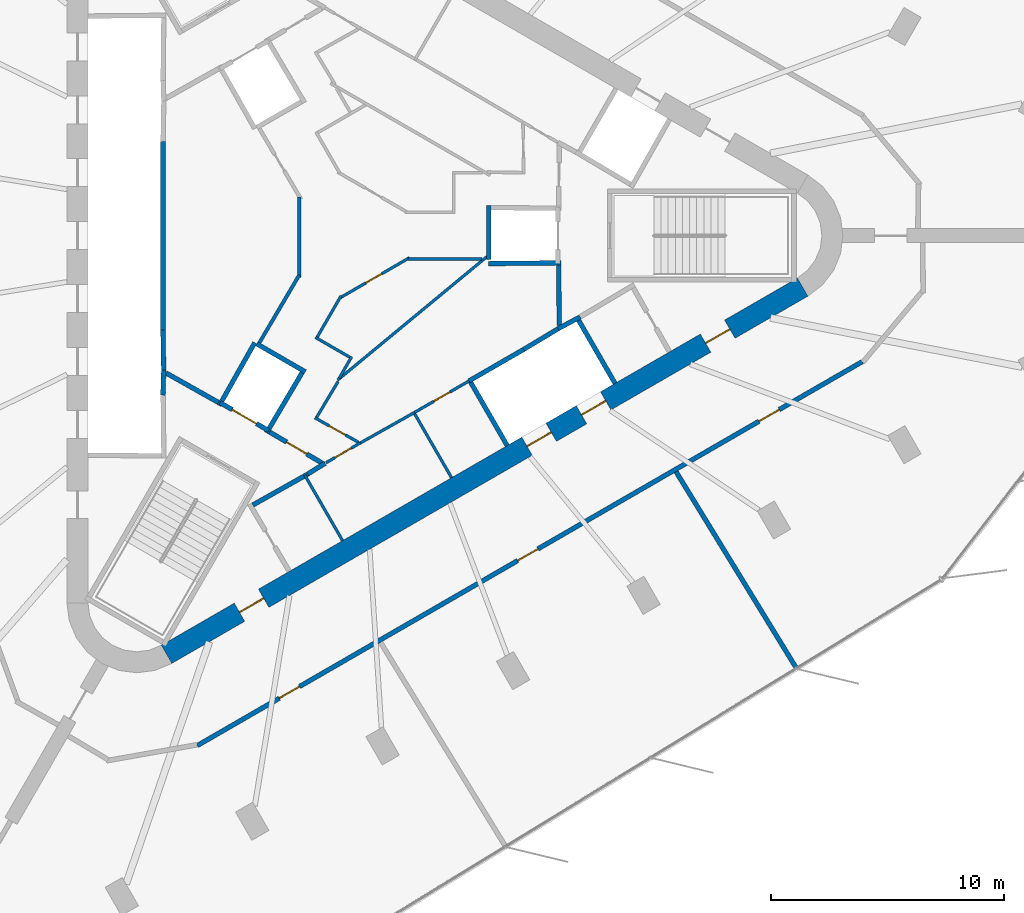
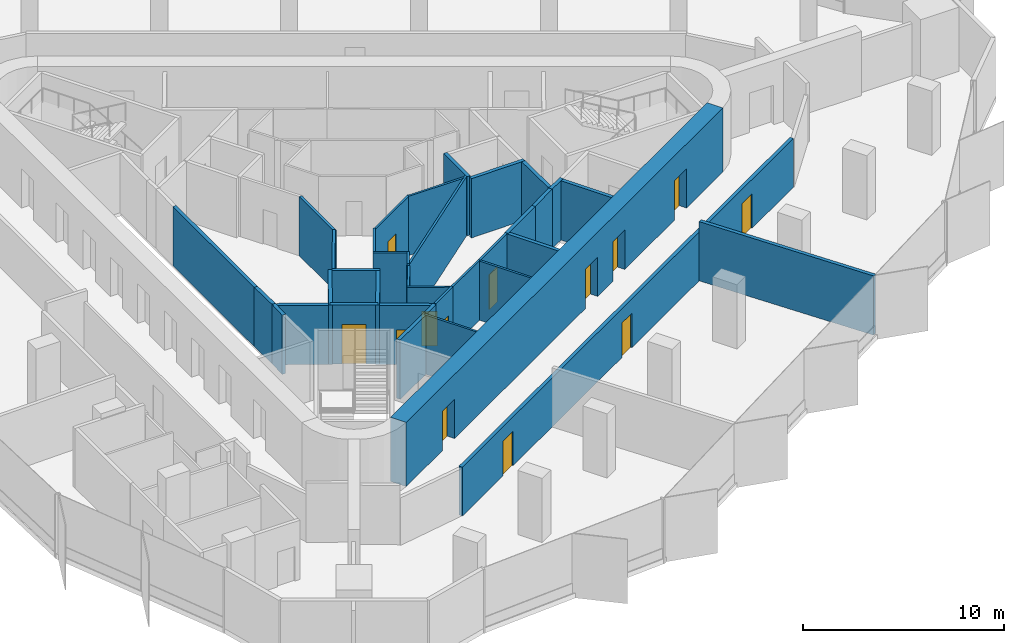
# One storey, part 8 of 12: 37 walls, 13 doors, 13 openings.
"""IFC4 building model written with IfcOpenShell, lengths in metres."""

import ifcopenshell
import ifcopenshell.guid

model = None  # the IFC model being written
_history = None  # IfcOwnerHistory: only IFC2X3 demands one
_inside = {}  # id of a spatial element -> (the spatial element, [elements in it])
_under = {}  # id of a project, library or spatial element -> (it, [spatial elements below it])
_declared = {}  # id of a project -> (the project, [libraries it declares])
_typed = {}  # id of a type object -> (the type object, [elements of that type])
_made_of = {}  # id of a material, layer set ... -> (it, [elements and type objects made of it])


def new_model(schema):
    """Start an empty IFC model of exactly this schema.

    Asked for "IFC4X3", IfcOpenShell would pick the latest addendum, in which some entities
    have other attributes; the version numbers below select the first issue.
    IFC2X3 requires an IfcOwnerHistory on every rooted entity: one is made here for all.
    """
    global model, _history
    if schema == "IFC4X3":
        model = ifcopenshell.file(schema_version=(4, 3, 0, 0))
    else:
        model = ifcopenshell.file(schema=schema)
    _inside.clear()
    _under.clear()
    _declared.clear()
    _typed.clear()
    _made_of.clear()
    _history = None
    if model.schema == "IFC2X3":
        org = make("IfcOrganization", Name="unknown")
        user = make(
            "IfcPersonAndOrganization",
            ThePerson=make("IfcPerson", FamilyName="unknown"),
            TheOrganization=org,
        )
        app = make(
            "IfcApplication",
            ApplicationDeveloper=org,
            Version="unknown",
            ApplicationFullName="unknown",
            ApplicationIdentifier="unknown",
        )
        _history = make(
            "IfcOwnerHistory",
            OwningUser=user,
            OwningApplication=app,
            ChangeAction="ADDED",
            CreationDate=0,
        )
    return model


def make(cls, **values):
    """One entity of the class cls with the attributes given. An attribute that is None is left unset."""
    return model.create_entity(
        cls, **{name: value for name, value in values.items() if value is not None}
    )


def rooted(cls, **values):
    """An entity with a GlobalId (a new one), such as an element, a storey or a relation."""
    return make(cls, GlobalId=ifcopenshell.guid.new(), OwnerHistory=_history, **values)


def si_unit(unit_type, name, prefix=None):
    """IfcSIUnit, for example si_unit("LENGTHUNIT", "METRE", prefix="MILLI")."""
    return make("IfcSIUnit", UnitType=unit_type, Prefix=prefix, Name=name)


def assignment(units):
    """IfcUnitAssignment: the units of a project."""
    return None if units is None else make("IfcUnitAssignment", Units=units)


def point(xyz):
    """IfcCartesianPoint."""
    return None if xyz is None else make("IfcCartesianPoint", Coordinates=xyz)


def direction(xyz):
    """IfcDirection."""
    return None if xyz is None else make("IfcDirection", DirectionRatios=xyz)


def frame(location, z_axis=None, x_axis=None):
    """IfcAxis2Placement3D, a coordinate frame: its origin and axes. An axis left out is left unset."""
    return make(
        "IfcAxis2Placement3D",
        Location=point(location),
        Axis=direction(z_axis),
        RefDirection=direction(x_axis),
    )


def frame_2d(location, x_axis=None):
    """IfcAxis2Placement2D, a coordinate frame in the plane: its origin and x axis."""
    return make(
        "IfcAxis2Placement2D", Location=point(location), RefDirection=direction(x_axis)
    )


def origin():
    """The frame at (0, 0, 0) with its axes left unset."""
    return frame((0.0, 0.0, 0.0))


def place(relative_to, where):
    """IfcLocalPlacement: puts the frame where relative to a parent placement (None: the world)."""
    return make(
        "IfcLocalPlacement", PlacementRelTo=relative_to, RelativePlacement=where
    )


def context(
    kind, dimensions, precision=None, world=None, true_north=None, identifier=None
):
    """IfcGeometricRepresentationContext, for example the 3D "Model" context."""
    return make(
        "IfcGeometricRepresentationContext",
        ContextIdentifier=identifier,
        ContextType=kind,
        CoordinateSpaceDimension=dimensions,
        Precision=precision,
        WorldCoordinateSystem=world,
        TrueNorth=true_north,
    )


def subcontext(parent, identifier, kind, view, scale=None):
    """IfcGeometricRepresentationSubContext, for example "Body" below "Model"."""
    return make(
        "IfcGeometricRepresentationSubContext",
        ContextIdentifier=identifier,
        ContextType=kind,
        ParentContext=parent,
        TargetScale=scale,
        TargetView=view,
    )


def project(units=None, contexts=None):
    """IfcProject with its units and contexts."""
    return rooted(
        "IfcProject",
        Name="project",
        RepresentationContexts=contexts,
        UnitsInContext=assignment(units),
    )


def spatial(cls, under=None, at=None, **own):
    """A site, building, storey or space (cls), placed at a placement, below another one or the project."""
    s = rooted(cls, ObjectPlacement=at, **own)
    if under is not None:
        _under.setdefault(under.id(), (under, []))[1].append(s)
    return s


def profile(cls, at=None, kind="AREA", **sizes):
    """A parametric profile (cls). Its sizes go by their IFC names, for example OverallWidth=200.0."""
    return make(cls, ProfileType=kind, Position=at, **sizes)


def rectangle(**sizes):
    """IfcRectangleProfileDef."""
    return profile("IfcRectangleProfileDef", **sizes)


def extrude(swept, where, along, depth):
    """IfcExtrudedAreaSolid: the profile swept, set in the frame where, extruded along a direction by depth."""
    return make(
        "IfcExtrudedAreaSolid",
        SweptArea=swept,
        Position=where,
        ExtrudedDirection=direction(along),
        Depth=depth,
    )


def shape(context_of_items, identifier, shape_type, items):
    """IfcShapeRepresentation: the items that make up one representation, for example the "Body"."""
    return make(
        "IfcShapeRepresentation",
        ContextOfItems=context_of_items,
        RepresentationIdentifier=identifier,
        RepresentationType=shape_type,
        Items=items,
    )


def material(Name=None, Category=None):
    """IfcMaterial."""
    return make("IfcMaterial", Name=Name, Category=Category)


def layer(
    of_material, thickness, ventilated=None, Name=None, Category=None, Priority=None
):
    """IfcMaterialLayer: one layer of a wall or slab, of a material (None: an air gap)."""
    return make(
        "IfcMaterialLayer",
        Material=of_material,
        LayerThickness=thickness,
        IsVentilated=ventilated,
        Name=Name,
        Category=Category,
        Priority=Priority,
    )


def layer_set(layers, Name=None):
    """IfcMaterialLayerSet."""
    return make("IfcMaterialLayerSet", MaterialLayers=layers, LayerSetName=Name)


def made_of(thing, what):
    """Note that an element or type object is made of a material, layer set ...; save() writes the relation."""
    if what is not None:
        _made_of.setdefault(what.id(), (what, []))[1].append(thing)
    return thing


def type_object(cls, material=None, **own):
    """A type object (cls), such as IfcWallType, which elements share."""
    return made_of(rooted(cls, **own), material)


def element(
    cls,
    number,
    at=None,
    inside=None,
    cuts=None,
    type_object=None,
    material=None,
    context=None,
    identifier="Body",
    shape_type=None,
    held_by="IfcProductDefinitionShape",
    body=None,
    shapes=None,
    **own,
):
    """One element of the class cls, such as IfcWall. Its Tag is "e" and its number.

    at: its placement. inside: the storey or other place that contains it. cuts: it is an
    opening in that element (IfcRelVoidsElement). A single representation is given by context,
    identifier, shape_type and body (its items); several are given by shapes. held_by: the class
    of the entity that holds the representations. save() writes the other relations.
    """
    e = rooted(cls, Tag="e%d" % number, ObjectPlacement=at, **own)
    if body is not None:
        shapes = [shape(context, identifier, shape_type, body)]
    if shapes is not None:
        e.Representation = make(held_by, Representations=shapes)
    if inside is not None:
        _inside.setdefault(inside.id(), (inside, []))[1].append(e)
    if cuts is not None:
        rooted(
            "IfcRelVoidsElement", RelatingBuildingElement=cuts, RelatedOpeningElement=e
        )
    if type_object is not None:
        _typed.setdefault(type_object.id(), (type_object, []))[1].append(e)
    return made_of(e, material)


def fill(opening, filler):
    """IfcRelFillsElement: the door or window that sits in an opening."""
    return rooted(
        "IfcRelFillsElement",
        RelatingOpeningElement=opening,
        RelatedBuildingElement=filler,
    )


def aggregate(whole, parts):
    """IfcRelAggregates: a whole, such as a stair, and the parts it consists of."""
    return rooted("IfcRelAggregates", RelatingObject=whole, RelatedObjects=parts)


def save(model, path):
    """Write the relations noted so far, then the file.

    IfcRelAggregates (storeys below a building ...), IfcRelContainedInSpatialStructure (elements
    in a storey), IfcRelDefinesByType, IfcRelAssociatesMaterial and IfcRelDeclares: one each for
    every whole, place, type object, material and project.
    """
    for whole, parts in _under.values():
        aggregate(whole, parts)
    for where, things in _inside.values():
        rooted(
            "IfcRelContainedInSpatialStructure",
            RelatedElements=things,
            RelatingStructure=where,
        )
    for kind, things in _typed.values():
        rooted("IfcRelDefinesByType", RelatedObjects=things, RelatingType=kind)
    for what, things in _made_of.values():
        rooted("IfcRelAssociatesMaterial", RelatedObjects=things, RelatingMaterial=what)
    for by, libraries in _declared.values():
        rooted("IfcRelDeclares", RelatingContext=by, RelatedDefinitions=libraries)
    model.write(path)


model = new_model("IFC4")

# Units and contexts
model_context = context("Model", 3, precision=1e-05, world=origin(), true_north=direction((0.0, 1.0)))
body_context = subcontext(model_context, "Body", "Model", "MODEL_VIEW")
ifc_project = project(units=[si_unit("LENGTHUNIT", "METRE"), si_unit("AREAUNIT", "SQUARE_METRE"), si_unit("VOLUMEUNIT", "CUBIC_METRE"), si_unit("PLANEANGLEUNIT", "RADIAN"), si_unit("MASSUNIT", "GRAM", prefix="KILO")], contexts=[model_context])

# Site, building, storey
site_placement = place(None, origin())
site = spatial("IfcSite", under=ifc_project, at=site_placement, CompositionType="ELEMENT")
building_placement = place(site_placement, origin())
building = spatial("IfcBuilding", under=site, at=building_placement, Name="Tanit Gate Tower", CompositionType="ELEMENT")
storey_placement = place(building_placement, frame((0.0, 0.0, 349.39990234375)))
storey = spatial("IfcBuildingStorey", under=building, at=storey_placement, Name="L79", CompositionType="ELEMENT", Elevation=349.39990234375)

# Wall, openings, doors
ifc_material_1 = material(Name="Concrete C40/50", Category="concrete")
ifc_layer_1 = layer(ifc_material_1, 0.89990234375)
ifc_layer_set_1 = layer_set([ifc_layer_1], Name="CORE WALL 900 C40/50")
wall_type_1 = type_object("IfcWallType", Name="CORE WALL 900 C40/50", PredefinedType="SHEAR", material=ifc_layer_set_1)
wall_1_placement = place(storey_placement, frame((-7.824951171875, -17.969970703125, 0.0), z_axis=(0.0, 0.0, 1.0), x_axis=(0.866028369851, 0.499994862586, 0.0)))
wall_1 = element("IfcWall", 1, at=wall_1_placement, inside=storey, type_object=wall_type_1, Name="CORE WALL", PredefinedType="SHEAR", context=body_context, shape_type="SweptSolid", body=[
    extrude(rectangle(XDim=31.523193359375, YDim=0.89990234375, at=frame_2d((15.76171875, 0.0))), origin(), (0.0, 0.0, 1.0), 3.900146484375),
])
opening_1_placement = place(wall_1_placement, frame((17.861572265625, 0.0, 0.0)))
opening_1 = element("IfcOpeningElement", 2, at=opening_1_placement, cuts=wall_1, Name="Opening LDSV1-S22", PredefinedType="OPENING", context=body_context, shape_type="SweptSolid", body=[
    extrude(rectangle(XDim=1.199951171875, YDim=2.39990234375, at=frame_2d((0.60009765625, 1.199951171875))), frame((0.0, 0.4599609375, 0.0), z_axis=(0.0, -1.0, 0.0), x_axis=(1.0, 0.0, 0.0)), (0.0, 0.0, 1.0), 0.919921875),
])
opening_2_placement = place(wall_1_placement, frame((20.561767578125, 0.0, 0.0)))
opening_2 = element("IfcOpeningElement", 3, at=opening_2_placement, cuts=wall_1, Name="Opening LDSV2-S22", PredefinedType="OPENING", context=body_context, shape_type="SweptSolid", body=[
    extrude(rectangle(XDim=1.199951171875, YDim=2.39990234375, at=frame_2d((0.60009765625, 1.199951171875))), frame((0.0, 0.4599609375, 0.0), z_axis=(0.0, -1.0, 0.0), x_axis=(1.0, 0.0, 0.0)), (0.0, 0.0, 1.0), 0.919921875),
])
opening_3_placement = place(wall_1_placement, frame((26.711669921875, 0.0, 0.0)))
opening_3 = element("IfcOpeningElement", 4, at=opening_3_placement, cuts=wall_1, Name="Opening F12-S22-S1", PredefinedType="OPENING", context=body_context, shape_type="SweptSolid", body=[
    extrude(rectangle(XDim=1.199951171875, YDim=2.39990234375, at=frame_2d((0.60009765625, 1.199951171875))), frame((0.0, 0.4599609375, 0.0), z_axis=(0.0, -1.0, 0.0), x_axis=(1.0, 0.0, 0.0)), (0.0, 0.0, 1.0), 0.919921875),
])
opening_4_placement = place(wall_1_placement, frame((3.611572265625, 0.0, 0.0)))
opening_4 = element("IfcOpeningElement", 5, at=opening_4_placement, cuts=wall_1, Name="Opening F12-S22-FL3", PredefinedType="OPENING", context=body_context, shape_type="SweptSolid", body=[
    extrude(rectangle(XDim=1.199951171875, YDim=2.39990234375, at=frame_2d((0.60009765625, 1.199951171875))), frame((0.0, 0.4599609375, 0.0), z_axis=(0.0, -1.0, 0.0), x_axis=(1.0, 0.0, 0.0)), (0.0, 0.0, 1.0), 0.919921875),
])
ifc_material_2 = material(Name="Fire-rated steel door leaf", Category="steel")
door_type_1 = type_object("IfcDoorType", Name="INT-DOOR-FIRE-LOBBY-1200", OperationType="NOTDEFINED", PredefinedType="USERDEFINED", material=ifc_material_2)
door_1_placement = place(opening_3_placement, origin())
door_1 = element("IfcDoor", 6, at=door_1_placement, inside=storey, type_object=door_type_1, Name="Door F12-S22-S1", ObjectType="FIRE DOOR", OperationType="SINGLE_SWING_RIGHT", OverallHeight=2.39990234375, OverallWidth=1.199951171875, PredefinedType="USERDEFINED", context=body_context, shape_type="SweptSolid", body=[
    extrude(rectangle(XDim=1.199951171875, YDim=2.39990234375, at=frame_2d((0.60009765625, 1.199951171875))), frame((0.0, 0.02490234375, 0.0), z_axis=(0.0, -1.0, 0.0), x_axis=(1.0, 0.0, 0.0)), (0.0, 0.0, 1.0), 0.050048828125),
])
fill(opening_3, door_1)
door_2_placement = place(opening_4_placement, origin())
door_2 = element("IfcDoor", 7, at=door_2_placement, inside=storey, type_object=door_type_1, Name="Door F12-S22-FL3", ObjectType="FIRE DOOR", OperationType="SINGLE_SWING_LEFT", OverallHeight=2.39990234375, OverallWidth=1.199951171875, PredefinedType="USERDEFINED", context=body_context, shape_type="SweptSolid", body=[
    extrude(rectangle(XDim=1.199951171875, YDim=2.39990234375, at=frame_2d((0.60009765625, 1.199951171875))), frame((0.0, 0.02490234375, 0.0), z_axis=(0.0, -1.0, 0.0), x_axis=(1.0, 0.0, 0.0)), (0.0, 0.0, 1.0), 0.050048828125),
])
fill(opening_4, door_2)
ifc_material_3 = material(Name="Stainless steel sliding door leaf", Category="steel")
door_type_2 = type_object("IfcDoorType", Name="INT-DOOR-LANDING-1200", OperationType="NOTDEFINED", PredefinedType="USERDEFINED", material=ifc_material_3)
door_3_placement = place(opening_1_placement, origin())
door_3 = element("IfcDoor", 8, at=door_3_placement, inside=storey, type_object=door_type_2, Name="Door LDSV1-S22", ObjectType="LANDING DOOR", OperationType="SLIDING_TO_LEFT", OverallHeight=2.39990234375, OverallWidth=1.199951171875, PredefinedType="USERDEFINED", context=body_context, shape_type="SweptSolid", body=[
    extrude(rectangle(XDim=1.199951171875, YDim=2.39990234375, at=frame_2d((0.60009765625, 1.199951171875))), frame((0.0, 0.02490234375, 0.0), z_axis=(0.0, -1.0, 0.0), x_axis=(1.0, 0.0, 0.0)), (0.0, 0.0, 1.0), 0.050048828125),
])
fill(opening_1, door_3)
door_4_placement = place(opening_2_placement, origin())
door_4 = element("IfcDoor", 9, at=door_4_placement, inside=storey, type_object=door_type_2, Name="Door LDSV2-S22", ObjectType="LANDING DOOR", OperationType="SLIDING_TO_LEFT", OverallHeight=2.39990234375, OverallWidth=1.199951171875, PredefinedType="USERDEFINED", context=body_context, shape_type="SweptSolid", body=[
    extrude(rectangle(XDim=1.199951171875, YDim=2.39990234375, at=frame_2d((0.60009765625, 1.199951171875))), frame((0.0, 0.02490234375, 0.0), z_axis=(0.0, -1.0, 0.0), x_axis=(1.0, 0.0, 0.0)), (0.0, 0.0, 1.0), 0.050048828125),
])
fill(opening_2, door_4)

# Walls
ifc_material_4 = material(Name="Fire-rated gypsum board partition")
ifc_layer_2 = layer(ifc_material_4, 0.199951171875)
ifc_layer_set_2 = layer_set([ifc_layer_2], Name="INT-WALL-COMPARTMENT")
wall_type_2 = type_object("IfcWallType", Name="INT-WALL-COMPARTMENT", PredefinedType="PARTITIONING", material=ifc_layer_set_2)
wall_2_placement = place(storey_placement, frame((-1.7685546875, -10.23681640625, 0.0), z_axis=(0.0, 0.0, 1.0), x_axis=(-0.871534483978, -0.490334215854, 0.0)))
element("IfcWall", 10, at=wall_2_placement, inside=storey, type_object=wall_type_2, Name="Wall Compartment W054", PredefinedType="PARTITIONING", context=body_context, shape_type="SweptSolid", body=[
    extrude(rectangle(XDim=2.7001953125, YDim=0.199951171875, at=frame_2d((1.35009765625, 0.0))), origin(), (0.0, 0.0, 1.0), 3.60009765625),
])
wall_3_placement = place(storey_placement, frame((-1.02392578125, -9.77099609375, 0.0), z_axis=(0.0, 0.0, 1.0), x_axis=(-0.850348075135, -0.526220629693, 0.0)))
element("IfcWall", 11, at=wall_3_placement, inside=storey, type_object=wall_type_2, Name="Wall Compartment W056", PredefinedType="PARTITIONING", context=body_context, shape_type="SweptSolid", body=[
    extrude(rectangle(XDim=0.878173828125, YDim=0.199951171875, at=frame_2d((0.43896484375, 0.0))), origin(), (0.0, 0.0, 1.0), 3.60009765625),
])
for number, where, z_axis, x_axis, name in (
    (12, (9.02880859375, -3.8505859375, 0.0), (0.0, 0.0, 1.0), (-0.010784614026, 0.999941844359, 0.0), "Wall Compartment W062"),
    (13, (-7.84912109375, -5.893798828125, 0.0), (0.0, 0.0, 1.0), (0.871340486379, -0.490678873396, 0.0), "Wall Compartment W066"),
):
    element("IfcWall", number, at=place(storey_placement, frame(where, z_axis=z_axis, x_axis=x_axis)), inside=storey, type_object=wall_type_2, Name=name, PredefinedType="PARTITIONING", context=body_context, shape_type="SweptSolid", body=[
        extrude(rectangle(XDim=2.580810546875, YDim=0.199951171875, at=frame_2d((1.29052734375, 0.0))), origin(), (0.0, 0.0, 1.0), 3.60009765625),
    ])

# Wall, opening, door
wall_4_placement = place(storey_placement, frame((-3.400634765625, -8.43017578125, 0.0), z_axis=(0.0, 0.0, 1.0), x_axis=(0.860617791406, -0.509251428192, 0.0)))
wall_4 = element("IfcWall", 14, at=wall_4_placement, inside=storey, type_object=wall_type_2, Name="Wall Compartment W067", PredefinedType="PARTITIONING", context=body_context, shape_type="SweptSolid", body=[
    extrude(rectangle(XDim=2.709228515625, YDim=0.199951171875, at=frame_2d((1.3544921875, 0.0))), origin(), (0.0, 0.0, 1.0), 3.60009765625),
])
opening_5_placement = place(wall_4_placement, frame((0.848388671875, 0.0, 0.0)))
opening_5 = element("IfcOpeningElement", 15, at=opening_5_placement, cuts=wall_4, Name="Opening F10-S22-08", PredefinedType="OPENING", context=body_context, shape_type="SweptSolid", body=[
    extrude(rectangle(XDim=1.0, YDim=2.10009765625, at=frame_2d((0.5, 1.050048828125))), frame((0.0, 0.10986328125, 0.0), z_axis=(0.0, -1.0, 0.0), x_axis=(1.0, 0.0, 0.0)), (0.0, 0.0, 1.0), 0.219970703125),
])
ifc_material_5 = material(Name="Fire-rated steel door leaf", Category="steel")
door_type_3 = type_object("IfcDoorType", Name="INT-DOOR-FIRE-1000", OperationType="NOTDEFINED", PredefinedType="USERDEFINED", material=ifc_material_5)
door_5_placement = place(opening_5_placement, origin())
door_5 = element("IfcDoor", 16, at=door_5_placement, inside=storey, type_object=door_type_3, Name="Door F10-S22-08", ObjectType="FIRE DOOR", OperationType="SINGLE_SWING_RIGHT", OverallHeight=2.10009765625, OverallWidth=1.0, PredefinedType="USERDEFINED", context=body_context, shape_type="SweptSolid", body=[
    extrude(rectangle(XDim=1.0, YDim=2.10009765625, at=frame_2d((0.5, 1.050048828125))), frame((0.0, 0.02490234375, 0.0), z_axis=(0.0, -1.0, 0.0), x_axis=(1.0, 0.0, 0.0)), (0.0, 0.0, 1.0), 0.050048828125),
])
fill(opening_5, door_5)

# Wall, openings, doors
wall_5_placement = place(storey_placement, frame((-6.505126953125, -21.884521484375, 0.0), z_axis=(0.0, 0.0, 1.0), x_axis=(0.86602457258, 0.500001439686, 0.0)))
wall_5 = element("IfcWall", 17, at=wall_5_placement, inside=storey, type_object=wall_type_2, Name="Wall Compartment W114", PredefinedType="PARTITIONING", context=body_context, shape_type="SweptSolid", body=[
    extrude(rectangle(XDim=32.95166015625, YDim=0.199951171875, at=frame_2d((16.475830078125, 0.0))), origin(), (0.0, 0.0, 1.0), 2.97021484375),
])
opening_6_placement = place(wall_5_placement, frame((27.838623046875, 0.0, 0.0)))
opening_6 = element("IfcOpeningElement", 18, at=opening_6_placement, cuts=wall_5, Name="Opening F10-S22-29", PredefinedType="OPENING", context=body_context, shape_type="SweptSolid", body=[
    extrude(rectangle(XDim=1.0, YDim=2.10009765625, at=frame_2d((0.5, 1.050048828125))), frame((0.0, 0.10986328125, 0.0), z_axis=(0.0, -1.0, 0.0), x_axis=(1.0, 0.0, 0.0)), (0.0, 0.0, 1.0), 0.219970703125),
])
opening_7_placement = place(wall_5_placement, frame((15.87255859375, 0.0, 0.0)))
opening_7 = element("IfcOpeningElement", 19, at=opening_7_placement, cuts=wall_5, Name="Opening F10-S22-30", PredefinedType="OPENING", context=body_context, shape_type="SweptSolid", body=[
    extrude(rectangle(XDim=1.0, YDim=2.10009765625, at=frame_2d((0.5, 1.050048828125))), frame((0.0, 0.10986328125, 0.0), z_axis=(0.0, -1.0, 0.0), x_axis=(1.0, 0.0, 0.0)), (0.0, 0.0, 1.0), 0.219970703125),
])
opening_8_placement = place(wall_5_placement, frame((4.0595703125, 0.0, 0.0)))
opening_8 = element("IfcOpeningElement", 20, at=opening_8_placement, cuts=wall_5, Name="Opening F10-S22-31", PredefinedType="OPENING", context=body_context, shape_type="SweptSolid", body=[
    extrude(rectangle(XDim=1.0, YDim=2.10009765625, at=frame_2d((0.5, 1.050048828125))), frame((0.0, 0.10986328125, 0.0), z_axis=(0.0, -1.0, 0.0), x_axis=(1.0, 0.0, 0.0)), (0.0, 0.0, 1.0), 0.219970703125),
])
door_6_placement = place(opening_6_placement, origin())
door_6 = element("IfcDoor", 21, at=door_6_placement, inside=storey, type_object=door_type_3, Name="Door F10-S22-29", ObjectType="FIRE DOOR", OperationType="SINGLE_SWING_RIGHT", OverallHeight=2.10009765625, OverallWidth=1.0, PredefinedType="USERDEFINED", context=body_context, shape_type="SweptSolid", body=[
    extrude(rectangle(XDim=1.0, YDim=2.10009765625, at=frame_2d((0.5, 1.050048828125))), frame((0.0, 0.02490234375, 0.0), z_axis=(0.0, -1.0, 0.0), x_axis=(1.0, 0.0, 0.0)), (0.0, 0.0, 1.0), 0.050048828125),
])
fill(opening_6, door_6)
door_7_placement = place(opening_7_placement, origin())
door_7 = element("IfcDoor", 22, at=door_7_placement, inside=storey, type_object=door_type_3, Name="Door F10-S22-30", ObjectType="FIRE DOOR", OperationType="SINGLE_SWING_LEFT", OverallHeight=2.10009765625, OverallWidth=1.0, PredefinedType="USERDEFINED", context=body_context, shape_type="SweptSolid", body=[
    extrude(rectangle(XDim=1.0, YDim=2.10009765625, at=frame_2d((0.5, 1.050048828125))), frame((0.0, 0.02490234375, 0.0), z_axis=(0.0, -1.0, 0.0), x_axis=(1.0, 0.0, 0.0)), (0.0, 0.0, 1.0), 0.050048828125),
])
fill(opening_7, door_7)
door_8_placement = place(opening_8_placement, origin())
door_8 = element("IfcDoor", 23, at=door_8_placement, inside=storey, type_object=door_type_3, Name="Door F10-S22-31", ObjectType="FIRE DOOR", OperationType="SINGLE_SWING_LEFT", OverallHeight=2.10009765625, OverallWidth=1.0, PredefinedType="USERDEFINED", context=body_context, shape_type="SweptSolid", body=[
    extrude(rectangle(XDim=1.0, YDim=2.10009765625, at=frame_2d((0.5, 1.050048828125))), frame((0.0, 0.02490234375, 0.0), z_axis=(0.0, -1.0, 0.0), x_axis=(1.0, 0.0, 0.0)), (0.0, 0.0, 1.0), 0.050048828125),
])
fill(opening_8, door_8)

# Walls
wall_6_placement = place(storey_placement, frame((14.04248046875, -10.13671875, 0.0), z_axis=(0.0, 0.0, 1.0), x_axis=(0.522290974672, -0.852767340941, 0.0)))
element("IfcWall", 24, at=wall_6_placement, inside=storey, type_object=wall_type_2, Name="Wall Compartment W133", PredefinedType="PARTITIONING", context=body_context, shape_type="SweptSolid", body=[
    extrude(rectangle(XDim=9.884521484375, YDim=0.199951171875, at=frame_2d((4.9423828125, 0.0))), origin(), (0.0, 0.0, 1.0), 3.60009765625),
])
ifc_material_6 = material(Name="Gypsum board partition")
ifc_layer_3 = layer(ifc_material_6, 0.1201171875)
ifc_layer_set_3 = layer_set([ifc_layer_3], Name="INT-WALL-PARTITION")
wall_type_3 = type_object("IfcWallType", Name="INT-WALL-PARTITION", PredefinedType="PARTITIONING", material=ifc_layer_set_3)
for number, where, z_axis, x_axis, name in (
    (25, (-1.896728515625, -10.27490234375, 0.0), (0.0, 0.0, 1.0), (0.499984717929, -0.866034226713, 0.0), "Wall Partition W052"),
    (26, (4.40478515625, -10.389404296875, 0.0), (0.0, 0.0, 1.0), (-0.500017246033, 0.866015446554, 0.0), "Wall Partition W055"),
):
    element("IfcWall", number, at=place(storey_placement, frame(where, z_axis=z_axis, x_axis=x_axis)), inside=storey, type_object=wall_type_3, Name=name, PredefinedType="PARTITIONING", context=body_context, shape_type="SweptSolid", body=[
        extrude(rectangle(XDim=3.25, YDim=0.1201171875, at=frame_2d((1.625, 0.0))), origin(), (0.0, 0.0, 1.0), 3.60009765625),
    ])
wall_7_placement = place(storey_placement, frame((0.493896484375, -8.895751953125, 0.0), z_axis=(0.0, 0.0, 1.0), x_axis=(0.871426548871, 0.490526013503, 0.0)))
element("IfcWall", 27, at=wall_7_placement, inside=storey, type_object=wall_type_3, Name="Wall Partition W057", PredefinedType="PARTITIONING", context=body_context, shape_type="SweptSolid", body=[
    extrude(rectangle(XDim=2.670166015625, YDim=0.1201171875, at=frame_2d((1.3349609375, 0.0))), origin(), (0.0, 0.0, 1.0), 3.60009765625),
])

# Wall, opening, door
wall_8_placement = place(storey_placement, frame((0.493408203125, -8.89501953125, 0.0), z_axis=(0.0, 0.0, 1.0), x_axis=(-0.866027945518, -0.499995597562, 0.0)))
wall_8 = element("IfcWall", 28, at=wall_8_placement, inside=storey, type_object=wall_type_3, Name="Wall Partition W058", PredefinedType="PARTITIONING", context=body_context, shape_type="SweptSolid", body=[
    extrude(rectangle(XDim=1.7021484375, YDim=0.1201171875, at=frame_2d((0.85107421875, 0.0))), origin(), (0.0, 0.0, 1.0), 3.60009765625),
])
opening_9_placement = place(wall_8_placement, frame((0.461181640625, 0.0, 0.0)))
opening_9 = element("IfcOpeningElement", 29, at=opening_9_placement, cuts=wall_8, Name="Opening R08-S22-18", PredefinedType="OPENING", context=body_context, shape_type="SweptSolid", body=[
    extrude(rectangle(XDim=0.800048828125, YDim=2.10009765625, at=frame_2d((0.39990234375, 1.050048828125))), frame((0.0, 0.070068359375, 0.0), z_axis=(0.0, -1.0, 0.0), x_axis=(1.0, 0.0, 0.0)), (0.0, 0.0, 1.0), 0.14013671875),
])
ifc_material_7 = material(Name="Timber door leaf", Category="wood")
door_type_4 = type_object("IfcDoorType", Name="INT-DOOR-RISER-800", OperationType="NOTDEFINED", PredefinedType="USERDEFINED", material=ifc_material_7)
door_9_placement = place(opening_9_placement, origin())
door_9 = element("IfcDoor", 30, at=door_9_placement, inside=storey, type_object=door_type_4, Name="Door R08-S22-18", ObjectType="FIRE DOOR", OperationType="SINGLE_SWING_RIGHT", OverallHeight=2.10009765625, OverallWidth=0.800048828125, PredefinedType="USERDEFINED", context=body_context, shape_type="SweptSolid", body=[
    extrude(rectangle(XDim=0.800048828125, YDim=2.10009765625, at=frame_2d((0.39990234375, 1.050048828125))), frame((0.0, 0.02490234375, 0.0), z_axis=(0.0, -1.0, 0.0), x_axis=(1.0, 0.0, 0.0)), (0.0, 0.0, 1.0), 0.050048828125),
])
fill(opening_9, door_9)

wall_9_placement = place(storey_placement, frame((2.82080078125, -7.5859375, 0.0), z_axis=(0.0, 0.0, 1.0), x_axis=(0.866019956843, 0.50000943426, 0.0)))
wall_9 = element("IfcWall", 31, at=wall_9_placement, inside=storey, type_object=wall_type_3, Name="Wall Partition W059", PredefinedType="PARTITIONING", context=body_context, shape_type="SweptSolid", body=[
    extrude(rectangle(XDim=2.7001953125, YDim=0.1201171875, at=frame_2d((1.35009765625, 0.0))), origin(), (0.0, 0.0, 1.0), 3.60009765625),
])
opening_10_placement = place(wall_9_placement, frame((0.949951171875, 0.0, 0.0)))
opening_10 = element("IfcOpeningElement", 32, at=opening_10_placement, cuts=wall_9, Name="Opening R08-S22-19", PredefinedType="OPENING", context=body_context, shape_type="SweptSolid", body=[
    extrude(rectangle(XDim=0.800048828125, YDim=2.10009765625, at=frame_2d((0.39990234375, 1.050048828125))), frame((0.0, 0.070068359375, 0.0), z_axis=(0.0, -1.0, 0.0), x_axis=(1.0, 0.0, 0.0)), (0.0, 0.0, 1.0), 0.14013671875),
])
door_10_placement = place(opening_10_placement, origin())
door_10 = element("IfcDoor", 33, at=door_10_placement, inside=storey, type_object=door_type_4, Name="Door R08-S22-19", ObjectType="FIRE DOOR", OperationType="SINGLE_SWING_RIGHT", OverallHeight=2.10009765625, OverallWidth=0.800048828125, PredefinedType="USERDEFINED", context=body_context, shape_type="SweptSolid", body=[
    extrude(rectangle(XDim=0.800048828125, YDim=2.10009765625, at=frame_2d((0.39990234375, 1.050048828125))), frame((0.0, 0.02490234375, 0.0), z_axis=(0.0, -1.0, 0.0), x_axis=(1.0, 0.0, 0.0)), (0.0, 0.0, 1.0), 0.050048828125),
])
fill(opening_10, door_10)

# Walls
wall_10_placement = place(storey_placement, frame((5.935546875, -0.893798828125, 0.0), z_axis=(0.0, 0.0, 1.0), x_axis=(-0.770832870475, -0.637037428881, 0.0)))
element("IfcWall", 34, at=wall_10_placement, inside=storey, type_object=wall_type_3, Name="Wall Partition W071", PredefinedType="PARTITIONING", context=body_context, shape_type="SweptSolid", body=[
    extrude(rectangle(XDim=8.331787109375, YDim=0.1201171875, at=frame_2d((4.166015625, 0.0))), origin(), (0.0, 0.0, 1.0), 3.60009765625),
])
wall_11_placement = place(storey_placement, frame((-0.41064453125, -6.111328125, 0.0), z_axis=(0.0, 0.0, 1.0), x_axis=(0.49986229611, 0.866104892567, 0.0)))
element("IfcWall", 35, at=wall_11_placement, inside=storey, type_object=wall_type_3, Name="Wall Partition W072", PredefinedType="PARTITIONING", context=body_context, shape_type="SweptSolid", body=[
    extrude(rectangle(XDim=1.057861328125, YDim=0.1201171875, at=frame_2d((0.52880859375, 0.0))), origin(), (0.0, 0.0, 1.0), 3.60009765625),
])
wall_12_placement = place(storey_placement, frame((-1.43603515625, -4.3671875, 0.0), z_axis=(0.0, 0.0, 1.0), x_axis=(0.866087547558, -0.499892348375, 0.0)))
element("IfcWall", 36, at=wall_12_placement, inside=storey, type_object=wall_type_3, Name="Wall Partition W073", PredefinedType="PARTITIONING", context=body_context, shape_type="SweptSolid", body=[
    extrude(rectangle(XDim=1.699951171875, YDim=0.1201171875, at=frame_2d((0.85009765625, 0.0))), origin(), (0.0, 0.0, 1.0), 3.60009765625),
])
wall_13_placement = place(storey_placement, frame((-0.337646484375, -2.5849609375, 0.0), z_axis=(0.0, 0.0, 1.0), x_axis=(-0.50002743572, -0.866009563185, 0.0)))
element("IfcWall", 37, at=wall_13_placement, inside=storey, type_object=wall_type_3, Name="Wall Partition W074", PredefinedType="PARTITIONING", context=body_context, shape_type="SweptSolid", body=[
    extrude(rectangle(XDim=2.03271484375, YDim=0.1201171875, at=frame_2d((1.016357421875, 0.0))), origin(), (0.0, 0.0, 1.0), 3.60009765625),
])

# Wall, opening, door
wall_14_placement = place(storey_placement, frame((2.6015625, -0.947998046875, 0.0), z_axis=(0.0, 0.0, 1.0), x_axis=(-0.86601279846, -0.500021832428, 0.0)))
wall_14 = element("IfcWall", 38, at=wall_14_placement, inside=storey, type_object=wall_type_3, Name="Wall Partition W075", PredefinedType="PARTITIONING", context=body_context, shape_type="SweptSolid", body=[
    extrude(rectangle(XDim=3.435302734375, YDim=0.1201171875, at=frame_2d((1.7177734375, 0.0))), origin(), (0.0, 0.0, 1.0), 3.60009765625),
])
opening_11_placement = place(wall_14_placement, frame((1.36962890625, 0.0, 0.0)))
opening_11 = element("IfcOpeningElement", 39, at=opening_11_placement, cuts=wall_14, Name="Opening R08-S22-11", PredefinedType="OPENING", context=body_context, shape_type="SweptSolid", body=[
    extrude(rectangle(XDim=0.800048828125, YDim=2.10009765625, at=frame_2d((0.39990234375, 1.050048828125))), frame((0.0, 0.070068359375, 0.0), z_axis=(0.0, -1.0, 0.0), x_axis=(1.0, 0.0, 0.0)), (0.0, 0.0, 1.0), 0.14013671875),
])
door_11_placement = place(opening_11_placement, origin())
door_11 = element("IfcDoor", 40, at=door_11_placement, inside=storey, type_object=door_type_4, Name="Door R08-S22-11", ObjectType="FIRE DOOR", OperationType="SINGLE_SWING_LEFT", OverallHeight=2.10009765625, OverallWidth=0.800048828125, PredefinedType="USERDEFINED", context=body_context, shape_type="SweptSolid", body=[
    extrude(rectangle(XDim=0.800048828125, YDim=2.10009765625, at=frame_2d((0.39990234375, 1.050048828125))), frame((0.0, 0.02490234375, 0.0), z_axis=(0.0, -1.0, 0.0), x_axis=(1.0, 0.0, 0.0)), (0.0, 0.0, 1.0), 0.050048828125),
])
fill(opening_11, door_11)

# Wall
wall_15_placement = place(storey_placement, frame((5.712646484375, -1.0, 0.0), z_axis=(0.0, 0.0, 1.0), x_axis=(-1.0, 0.0, 0.0)))
element("IfcWall", 41, at=wall_15_placement, inside=storey, type_object=wall_type_3, Name="Wall Partition W076", PredefinedType="PARTITIONING", context=body_context, shape_type="SweptSolid", body=[
    extrude(rectangle(XDim=3.1826171875, YDim=0.1201171875, at=frame_2d((1.59130859375, 0.0))), origin(), (0.0, 0.0, 1.0), 3.60009765625),
])

# Wall, opening, door
wall_16_placement = place(storey_placement, frame((-1.464111328125, -7.81591796875, 0.0), z_axis=(0.0, 0.0, 1.0), x_axis=(0.871859859416, -0.489755434416, 0.0)))
wall_16 = element("IfcWall", 42, at=wall_16_placement, inside=storey, type_object=wall_type_3, Name="Wall Partition W077", PredefinedType="PARTITIONING", context=body_context, shape_type="SweptSolid", body=[
    extrude(rectangle(XDim=2.154541015625, YDim=0.1201171875, at=frame_2d((1.0771484375, 0.0))), origin(), (0.0, 0.0, 1.0), 3.60009765625),
])
opening_12_placement = place(wall_16_placement, frame((0.707275390625, 0.0, 0.0)))
opening_12 = element("IfcOpeningElement", 43, at=opening_12_placement, cuts=wall_16, Name="Opening R08-S22-12", PredefinedType="OPENING", context=body_context, shape_type="SweptSolid", body=[
    extrude(rectangle(XDim=0.800048828125, YDim=2.10009765625, at=frame_2d((0.39990234375, 1.050048828125))), frame((0.0, 0.070068359375, 0.0), z_axis=(0.0, -1.0, 0.0), x_axis=(1.0, 0.0, 0.0)), (0.0, 0.0, 1.0), 0.14013671875),
])
door_12_placement = place(opening_12_placement, origin())
door_12 = element("IfcDoor", 44, at=door_12_placement, inside=storey, type_object=door_type_4, Name="Door R08-S22-12", ObjectType="FIRE DOOR", OperationType="SINGLE_SWING_LEFT", OverallHeight=2.10009765625, OverallWidth=0.800048828125, PredefinedType="USERDEFINED", context=body_context, shape_type="SweptSolid", body=[
    extrude(rectangle(XDim=0.800048828125, YDim=2.10009765625, at=frame_2d((0.39990234375, 1.050048828125))), frame((0.0, 0.02490234375, 0.0), z_axis=(0.0, -1.0, 0.0), x_axis=(1.0, 0.0, 0.0)), (0.0, 0.0, 1.0), 0.050048828125),
])
fill(opening_12, door_12)

# Walls
wall_17_placement = place(storey_placement, frame((-0.46337890625, -6.256591796875, 0.0), z_axis=(0.0, 0.0, 1.0), x_axis=(-0.512528878122, -0.858669988466, 0.0)))
element("IfcWall", 45, at=wall_17_placement, inside=storey, type_object=wall_type_3, Name="Wall Partition W078", PredefinedType="PARTITIONING", context=body_context, shape_type="SweptSolid", body=[
    extrude(rectangle(XDim=1.7900390625, YDim=0.1201171875, at=frame_2d((0.89501953125, 0.0))), origin(), (0.0, 0.0, 1.0), 3.60009765625),
])
ifc_material_8 = material(Name="Fire-rated gypsum board partition")
ifc_layer_4 = layer(ifc_material_8, 0.14990234375)
ifc_layer_set_4 = layer_set([ifc_layer_4], Name="INT-WALL-RISER")
wall_type_4 = type_object("IfcWallType", Name="INT-WALL-RISER", PredefinedType="PLUMBINGWALL", material=ifc_layer_set_4)
wall_18_placement = place(storey_placement, frame((-2.121826171875, -1.802490234375, 0.0), z_axis=(0.0, 0.0, 1.0), x_axis=(0.0, 1.0, 0.0)))
element("IfcWall", 46, at=wall_18_placement, inside=storey, type_object=wall_type_4, Name="Wall Riser W069", PredefinedType="PLUMBINGWALL", context=body_context, shape_type="SweptSolid", body=[
    extrude(rectangle(XDim=3.453857421875, YDim=0.14990234375, at=frame_2d((1.72705078125, 0.0))), origin(), (0.0, 0.0, 1.0), 3.60009765625),
])
wall_19_placement = place(storey_placement, frame((-3.8408203125, -4.59521484375, 0.0), z_axis=(0.0, 0.0, 1.0), x_axis=(0.507318157939, 0.861758833216, 0.0)))
element("IfcWall", 47, at=wall_19_placement, inside=storey, type_object=wall_type_4, Name="Wall Riser W070", PredefinedType="PLUMBINGWALL", context=body_context, shape_type="SweptSolid", body=[
    extrude(rectangle(XDim=3.36474609375, YDim=0.14990234375, at=frame_2d((1.682373046875, 0.0))), origin(), (0.0, 0.0, 1.0), 3.60009765625),
])
ifc_material_9 = material(Name="Gypsum shaft wall system")
ifc_layer_5 = layer(ifc_material_9, 0.199951171875)
ifc_layer_set_5 = layer_set([ifc_layer_5], Name="INT-WALL-SHAFT")
wall_type_5 = type_object("IfcWallType", Name="INT-WALL-SHAFT", PredefinedType="PLUMBINGWALL", material=ifc_layer_set_5)
wall_20_placement = place(storey_placement, frame((-7.97998046875, 4.050048828125, 0.0), z_axis=(0.0, 0.0, 1.0), x_axis=(0.0, -1.0, 0.0)))
element("IfcWall", 48, at=wall_20_placement, inside=storey, type_object=wall_type_5, Name="Wall Shaft W005", PredefinedType="PLUMBINGWALL", context=body_context, shape_type="SweptSolid", body=[
    extrude(rectangle(XDim=8.10009765625, YDim=0.199951171875, at=frame_2d((4.050048828125, 0.0))), origin(), (0.0, 0.0, 1.0), 3.60009765625),
])
wall_21_placement = place(storey_placement, frame((-7.949951171875, -5.7724609375, 0.0), z_axis=(0.0, 0.0, 1.0), x_axis=(-0.030803413295, -0.999525462272, 0.0)))
element("IfcWall", 49, at=wall_21_placement, inside=storey, type_object=wall_type_5, Name="Wall Shaft W008", PredefinedType="PLUMBINGWALL", context=body_context, shape_type="SweptSolid", body=[
    extrude(rectangle(XDim=1.077880859375, YDim=0.199951171875, at=frame_2d((0.5390625, 0.0))), origin(), (0.0, 0.0, 1.0), 3.60009765625),
])
wall_22_placement = place(storey_placement, frame((-7.97998046875, -4.050048828125, 0.0), z_axis=(0.0, 0.0, 1.0), x_axis=(0.016809909365, -0.999858703491, 0.0)))
element("IfcWall", 50, at=wall_22_placement, inside=storey, type_object=wall_type_5, Name="Wall Shaft W009", PredefinedType="PLUMBINGWALL", context=body_context, shape_type="SweptSolid", body=[
    extrude(rectangle(XDim=1.844482421875, YDim=0.199951171875, at=frame_2d((0.92236328125, 0.0))), origin(), (0.0, 0.0, 1.0), 3.60009765625),
])
wall_23_placement = place(storey_placement, frame((6.795166015625, -9.009521484375, 0.0), z_axis=(0.0, 0.0, 1.0), x_axis=(-0.499984717929, 0.866034226713, 0.0)))
element("IfcWall", 51, at=wall_23_placement, inside=storey, type_object=wall_type_5, Name="Wall Shaft W015", PredefinedType="PLUMBINGWALL", context=body_context, shape_type="SweptSolid", body=[
    extrude(rectangle(XDim=3.25, YDim=0.199951171875, at=frame_2d((1.625, 0.0))), origin(), (0.0, 0.0, 1.0), 3.60009765625),
])
wall_24_placement = place(storey_placement, frame((5.1591796875, -6.23583984375, 0.0), z_axis=(0.0, 0.0, 1.0), x_axis=(0.866036505625, 0.499980770555, 0.0)))
element("IfcWall", 52, at=wall_24_placement, inside=storey, type_object=wall_type_5, Name="Wall Shaft W016", PredefinedType="PLUMBINGWALL", context=body_context, shape_type="SweptSolid", body=[
    extrude(rectangle(XDim=2.69970703125, YDim=0.199951171875, at=frame_2d((1.349853515625, 0.0))), origin(), (0.0, 0.0, 1.0), 3.60009765625),
])
wall_25_placement = place(storey_placement, frame((9.794677734375, -3.52490234375, 0.0), z_axis=(0.0, 0.0, 1.0), x_axis=(0.499984717929, -0.866034226713, 0.0)))
element("IfcWall", 53, at=wall_25_placement, inside=storey, type_object=wall_type_5, Name="Wall Shaft W017", PredefinedType="PLUMBINGWALL", context=body_context, shape_type="SweptSolid", body=[
    extrude(rectangle(XDim=3.25, YDim=0.199951171875, at=frame_2d((1.625, 0.0))), origin(), (0.0, 0.0, 1.0), 3.60009765625),
])
wall_26_placement = place(storey_placement, frame((8.97412109375, -3.998779296875, 0.0), z_axis=(0.0, 0.0, 1.0), x_axis=(0.880907015104, 0.473289373154, 0.0)))
element("IfcWall", 54, at=wall_26_placement, inside=storey, type_object=wall_type_5, Name="Wall Shaft W018", PredefinedType="PLUMBINGWALL", context=body_context, shape_type="SweptSolid", body=[
    extrude(rectangle(XDim=1.078125, YDim=0.199951171875, at=frame_2d((0.5390625, 0.0))), origin(), (0.0, 0.0, 1.0), 3.60009765625),
])
wall_27_placement = place(storey_placement, frame((7.497314453125, -4.885986328125, 0.0), z_axis=(0.0, 0.0, 1.0), x_axis=(0.857516281273, 0.51445682749, 0.0)))
element("IfcWall", 55, at=wall_27_placement, inside=storey, type_object=wall_type_5, Name="Wall Shaft W019", PredefinedType="PLUMBINGWALL", context=body_context, shape_type="SweptSolid", body=[
    extrude(rectangle(XDim=1.8447265625, YDim=0.199951171875, at=frame_2d((0.92236328125, 0.0))), origin(), (0.0, 0.0, 1.0), 3.60009765625),
])
wall_28_placement = place(storey_placement, frame((9.10009765625, -1.1689453125, 0.0), z_axis=(0.0, 0.0, 1.0), x_axis=(-0.999949988, -0.010001074852, 0.0)))
element("IfcWall", 56, at=wall_28_placement, inside=storey, type_object=wall_type_5, Name="Wall Shaft W025", PredefinedType="PLUMBINGWALL", context=body_context, shape_type="SweptSolid", body=[
    extrude(rectangle(XDim=3.100341796875, YDim=0.199951171875, at=frame_2d((1.55029296875, 0.0))), origin(), (0.0, 0.0, 1.0), 3.60009765625),
])
wall_29_placement = place(storey_placement, frame((6.0, -1.029541015625, 0.0), z_axis=(0.0, 0.0, 1.0), x_axis=(0.0, 1.0, 0.0)))
element("IfcWall", 57, at=wall_29_placement, inside=storey, type_object=wall_type_5, Name="Wall Shaft W026", PredefinedType="PLUMBINGWALL", context=body_context, shape_type="SweptSolid", body=[
    extrude(rectangle(XDim=2.32958984375, YDim=0.199951171875, at=frame_2d((1.164794921875, 0.0))), origin(), (0.0, 0.0, 1.0), 3.60009765625),
])

# Wall, opening, door
wall_30_placement = place(storey_placement, frame((-3.44580078125, -8.3681640625, 0.0), z_axis=(0.0, 0.0, 1.0), x_axis=(-0.866024647952, 0.500001309137, 0.0)))
wall_30 = element("IfcWall", 58, at=wall_30_placement, inside=storey, type_object=wall_type_5, Name="Wall Shaft W040", PredefinedType="PLUMBINGWALL", context=body_context, shape_type="SweptSolid", body=[
    extrude(rectangle(XDim=2.39990234375, YDim=0.199951171875, at=frame_2d((1.199951171875, 0.0))), origin(), (0.0, 0.0, 1.0), 3.60009765625),
])
opening_13_placement = place(wall_30_placement, frame((0.60009765625, 0.0, 0.0)))
opening_13 = element("IfcOpeningElement", 59, at=opening_13_placement, cuts=wall_30, Name="Opening LDFL3-L79", PredefinedType="OPENING", context=body_context, shape_type="SweptSolid", body=[
    extrude(rectangle(XDim=1.199951171875, YDim=2.39990234375, at=frame_2d((0.60009765625, 1.199951171875))), frame((0.0, 0.10986328125, 0.0), z_axis=(0.0, -1.0, 0.0), x_axis=(1.0, 0.0, 0.0)), (0.0, 0.0, 1.0), 0.219970703125),
])
door_13_placement = place(opening_13_placement, origin())
door_13 = element("IfcDoor", 60, at=door_13_placement, inside=storey, type_object=door_type_2, Name="Door LDFL3-L79", ObjectType="LANDING DOOR", OperationType="SLIDING_TO_LEFT", OverallHeight=2.39990234375, OverallWidth=1.199951171875, PredefinedType="USERDEFINED", context=body_context, shape_type="SweptSolid", body=[
    extrude(rectangle(XDim=1.199951171875, YDim=2.39990234375, at=frame_2d((0.60009765625, 1.199951171875))), frame((0.0, 0.02490234375, 0.0), z_axis=(0.0, -1.0, 0.0), x_axis=(1.0, 0.0, 0.0)), (0.0, 0.0, 1.0), 0.050048828125),
])
fill(opening_13, door_13)

# Walls
wall_31_placement = place(storey_placement, frame((-5.5625, -7.29638671875, 0.0), z_axis=(0.0, 0.0, 1.0), x_axis=(0.491322718731, 0.870977603649, 0.0)))
element("IfcWall", 61, at=wall_31_placement, inside=storey, type_object=wall_type_5, Name="Wall Shaft W041", PredefinedType="PLUMBINGWALL", context=body_context, shape_type="SweptSolid", body=[
    extrude(rectangle(XDim=3.10009765625, YDim=0.199951171875, at=frame_2d((1.550048828125, 0.0))), origin(), (0.0, 0.0, 1.0), 3.60009765625),
])
wall_32_placement = place(storey_placement, frame((-3.95654296875, -4.643798828125, 0.0), z_axis=(0.0, 0.0, 1.0), x_axis=(0.865991127953, -0.500059362782, 0.0)))
element("IfcWall", 62, at=wall_32_placement, inside=storey, type_object=wall_type_5, Name="Wall Shaft W042", PredefinedType="PLUMBINGWALL", context=body_context, shape_type="SweptSolid", body=[
    extrude(rectangle(XDim=2.404541015625, YDim=0.199951171875, at=frame_2d((1.2021484375, 0.0))), origin(), (0.0, 0.0, 1.0), 3.60009765625),
])
wall_33_placement = place(storey_placement, frame((-2.01171875, -5.88232421875, 0.0), z_axis=(0.0, 0.0, 1.0), x_axis=(-0.508619639323, -0.860991325447, 0.0)))
element("IfcWall", 63, at=wall_33_placement, inside=storey, type_object=wall_type_5, Name="Wall Shaft W043", PredefinedType="PLUMBINGWALL", context=body_context, shape_type="SweptSolid", body=[
    extrude(rectangle(XDim=3.0, YDim=0.199951171875, at=frame_2d((1.5, 0.0))), origin(), (0.0, 0.0, 1.0), 3.60009765625),
])

save(model, "model.ifc")
